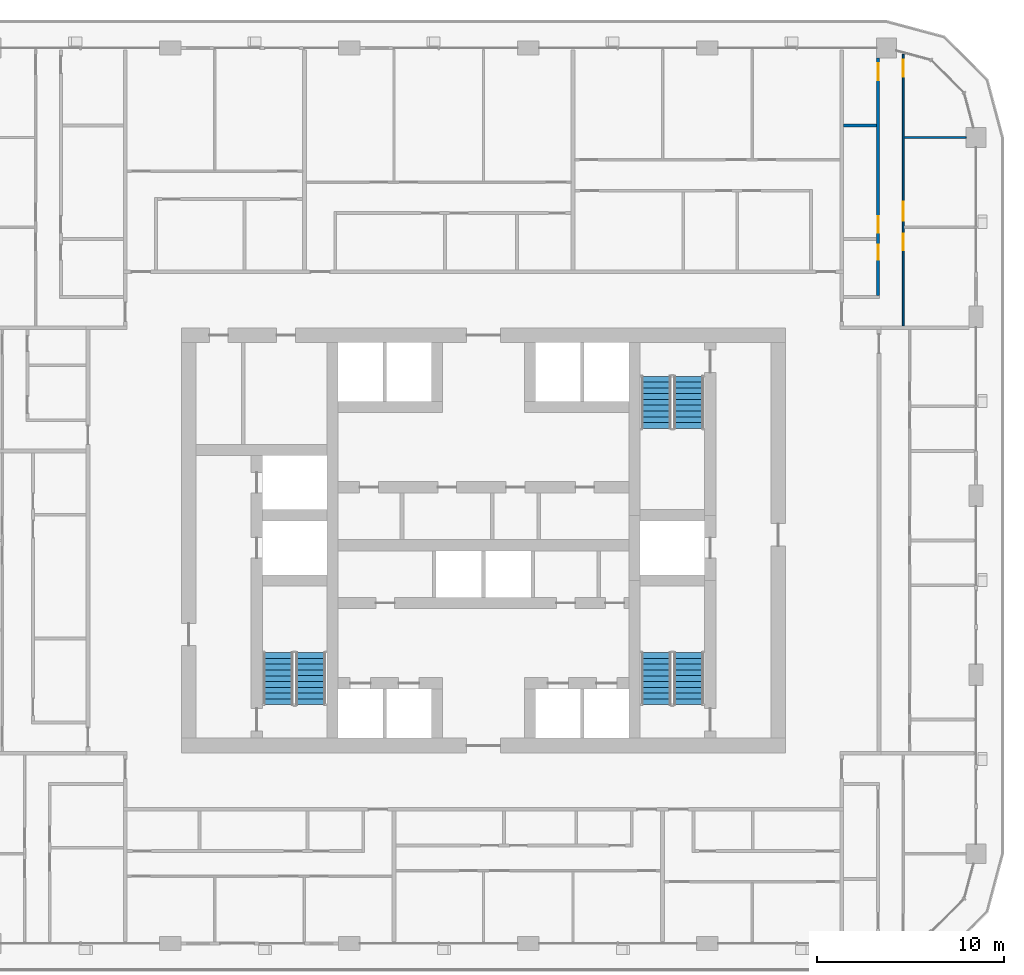
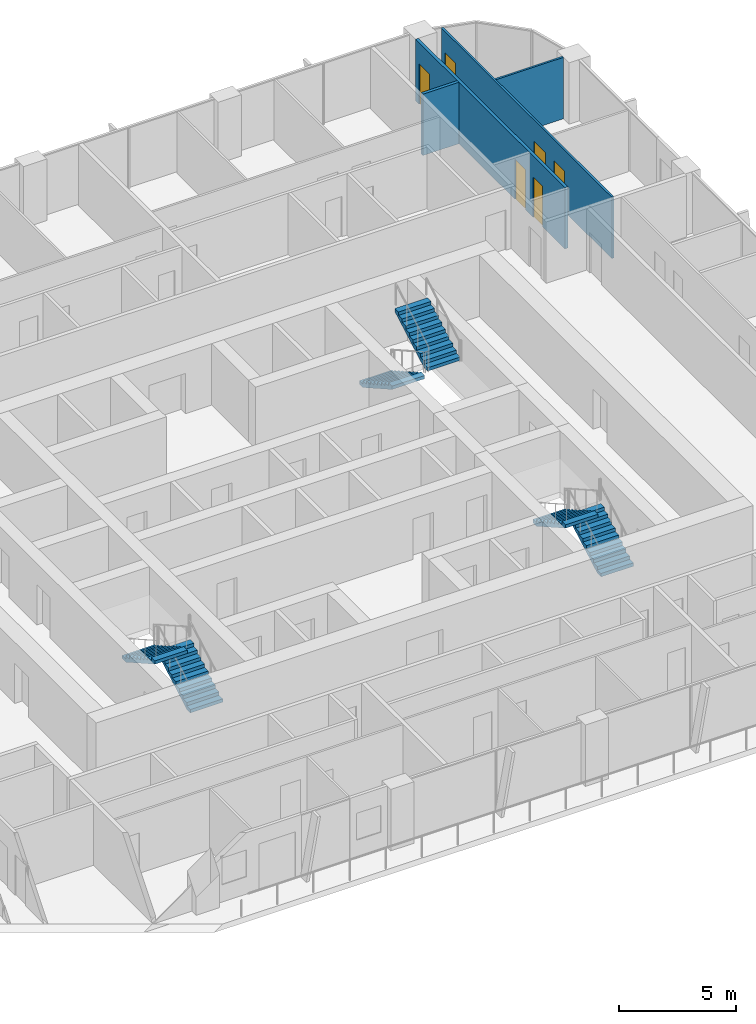
# One storey, part 15 of 22: 6 doors, 6 stair flights, 4 walls, 6 openings, 3 elements without a shape of their own.
"""IFC4 building model written with IfcOpenShell, lengths in metres."""

from ifc_helpers import new_model, si_unit, direction, frame, frame_2d, origin, place, context, subcontext, project, spatial, polyline, rectangle, outline, extrude, material, layer, layer_set, type_object, element, fill, aggregate, save


model = new_model("IFC4")

# Units and contexts
model_context = context("Model", 3, precision=1e-05, world=origin(), true_north=direction((0.0, 1.0)))
body_context = subcontext(model_context, "Body", "Model", "MODEL_VIEW")
ifc_project = project(units=[si_unit("LENGTHUNIT", "METRE"), si_unit("AREAUNIT", "SQUARE_METRE"), si_unit("VOLUMEUNIT", "CUBIC_METRE"), si_unit("PLANEANGLEUNIT", "RADIAN"), si_unit("MASSUNIT", "GRAM", prefix="KILO")], contexts=[model_context])

# Site, building, storey
site_placement = place(None, origin())
site = spatial("IfcSite", under=ifc_project, at=site_placement, CompositionType="ELEMENT")
building_placement = place(site_placement, origin())
building = spatial("IfcBuilding", under=site, at=building_placement, Name="Madar Terraces", CompositionType="ELEMENT")
storey_placement = place(building_placement, frame((0.0, 0.0, 136.60009765625)))
storey = spatial("IfcBuildingStorey", under=building, at=storey_placement, Name="L35", CompositionType="ELEMENT", Elevation=136.60009765625)

# Wall
ifc_material_1 = material(Name="Gypsum board on steel studs", Category="steel")
ifc_layer_1 = layer(ifc_material_1, 0.10009765625)
ifc_layer_set_1 = layer_set([ifc_layer_1], Name="Flat partition 100")
wall_type_1 = type_object("IfcWallType", Name="Flat partition 100", PredefinedType="PARTITIONING", material=ifc_layer_set_1)
wall_1_placement = place(storey_placement, frame((53.75, 48.0, 0.0), z_axis=(0.0, 0.0, 1.0), x_axis=(1.0, 0.0, 0.0)))
element("IfcWall", 1, at=wall_1_placement, inside=storey, type_object=wall_type_1, Name="Flat partition 100", PredefinedType="PARTITIONING", context=body_context, shape_type="SweptSolid", body=[
    extrude(rectangle(XDim=3.324951171875, YDim=0.10009765625, at=frame_2d((1.66259765625, 0.0))), origin(), (0.0, 0.0, 1.0), 3.199951171875),
])

# Wall, openings, doors
wall_2_placement = place(storey_placement, frame((53.699951171875, 52.458740234375, 0.0), z_axis=(0.0, 0.0, 1.0), x_axis=(0.0, -1.0, 0.0)))
wall_2 = element("IfcWall", 2, at=wall_2_placement, inside=storey, type_object=wall_type_1, Name="Flat partition 100", PredefinedType="PARTITIONING", context=body_context, shape_type="SweptSolid", body=[
    extrude(rectangle(XDim=14.558837890625, YDim=0.10009765625, at=frame_2d((7.279296875, 0.0))), origin(), (0.0, 0.0, 1.0), 3.199951171875),
])
opening_1_placement = place(wall_2_placement, frame((9.60888671875, 0.0, 0.0)))
opening_1 = element("IfcOpeningElement", 3, at=opening_1_placement, cuts=wall_2, Name="Opening D2", PredefinedType="OPENING", context=body_context, shape_type="SweptSolid", body=[
    extrude(rectangle(XDim=0.89990234375, YDim=2.10009765625, at=frame_2d((0.449951171875, 1.050048828125))), frame((0.0, 0.06005859375, 0.0), z_axis=(0.0, -1.0, 0.0), x_axis=(1.0, 0.0, 0.0)), (0.0, 0.0, 1.0), 0.1201171875),
])
opening_2_placement = place(wall_2_placement, frame((7.90869140625, 0.0, 0.0)))
opening_2 = element("IfcOpeningElement", 4, at=opening_2_placement, cuts=wall_2, Name="Opening D3", PredefinedType="OPENING", context=body_context, shape_type="SweptSolid", body=[
    extrude(rectangle(XDim=1.0, YDim=2.10009765625, at=frame_2d((0.5, 1.050048828125))), frame((0.0, 0.06005859375, 0.0), z_axis=(0.0, -1.0, 0.0), x_axis=(1.0, 0.0, 0.0)), (0.0, 0.0, 1.0), 0.1201171875),
])
opening_3_placement = place(wall_2_placement, frame((0.300048828125, 0.0, 0.0)))
opening_3 = element("IfcOpeningElement", 5, at=opening_3_placement, cuts=wall_2, Name="Opening D2", PredefinedType="OPENING", context=body_context, shape_type="SweptSolid", body=[
    extrude(rectangle(XDim=0.89990234375, YDim=2.10009765625, at=frame_2d((0.449951171875, 1.050048828125))), frame((0.0, 0.06005859375, 0.0), z_axis=(0.0, -1.0, 0.0), x_axis=(1.0, 0.0, 0.0)), (0.0, 0.0, 1.0), 0.1201171875),
])
ifc_material_2 = material(Name="Timber door leaf", Category="wood")
door_type_1 = type_object("IfcDoorType", Name="Flat living room door 1000", OperationType="NOTDEFINED", PredefinedType="DOOR", material=ifc_material_2)
door_1_placement = place(opening_2_placement, origin())
door_1 = element("IfcDoor", 6, at=door_1_placement, inside=storey, type_object=door_type_1, Name="Flat living room door 1000", OperationType="SINGLE_SWING_RIGHT", OverallHeight=2.10009765625, OverallWidth=1.0, PredefinedType="DOOR", context=body_context, shape_type="SweptSolid", body=[
    extrude(rectangle(XDim=1.0, YDim=2.10009765625, at=frame_2d((0.5, 1.050048828125))), frame((0.0, 0.02490234375, 0.0), z_axis=(0.0, -1.0, 0.0), x_axis=(1.0, 0.0, 0.0)), (0.0, 0.0, 1.0), 0.050048828125),
])
fill(opening_2, door_1)
ifc_material_3 = material(Name="Timber door leaf", Category="wood")
door_type_2 = type_object("IfcDoorType", Name="Flat room door 900", OperationType="NOTDEFINED", PredefinedType="DOOR", material=ifc_material_3)
door_2_placement = place(opening_1_placement, origin())
door_2 = element("IfcDoor", 7, at=door_2_placement, inside=storey, type_object=door_type_2, Name="Flat room door 900", OperationType="SINGLE_SWING_LEFT", OverallHeight=2.10009765625, OverallWidth=0.89990234375, PredefinedType="DOOR", context=body_context, shape_type="SweptSolid", body=[
    extrude(rectangle(XDim=0.89990234375, YDim=2.10009765625, at=frame_2d((0.449951171875, 1.050048828125))), frame((0.0, 0.02490234375, 0.0), z_axis=(0.0, -1.0, 0.0), x_axis=(1.0, 0.0, 0.0)), (0.0, 0.0, 1.0), 0.050048828125),
])
fill(opening_1, door_2)
door_3_placement = place(opening_3_placement, origin())
door_3 = element("IfcDoor", 8, at=door_3_placement, inside=storey, type_object=door_type_2, Name="Flat room door 900", OperationType="SINGLE_SWING_LEFT", OverallHeight=2.10009765625, OverallWidth=0.89990234375, PredefinedType="DOOR", context=body_context, shape_type="SweptSolid", body=[
    extrude(rectangle(XDim=0.89990234375, YDim=2.10009765625, at=frame_2d((0.449951171875, 1.050048828125))), frame((0.0, 0.02490234375, 0.0), z_axis=(0.0, -1.0, 0.0), x_axis=(1.0, 0.0, 0.0)), (0.0, 0.0, 1.0), 0.050048828125),
])
fill(opening_3, door_3)

# Wall
ifc_material_4 = material(Name="Lightweight blockwork", Category="masonry")
ifc_layer_2 = layer(ifc_material_4, 0.14990234375)
ifc_layer_set_2 = layer_set([ifc_layer_2], Name="Flat wet-room partition 150")
wall_type_2 = type_object("IfcWallType", Name="Flat wet-room partition 150", PredefinedType="PARTITIONING", material=ifc_layer_set_2)
wall_3_placement = place(storey_placement, frame((50.5, 48.646240234375, 0.0), z_axis=(0.0, 0.0, 1.0), x_axis=(1.0, 0.0, 0.0)))
element("IfcWall", 9, at=wall_3_placement, inside=storey, type_object=wall_type_2, Name="Flat wet-room partition 150", PredefinedType="PARTITIONING", context=body_context, shape_type="SweptSolid", body=[
    extrude(rectangle(XDim=1.77490234375, YDim=0.14990234375, at=frame_2d((0.887451171875, 0.0))), origin(), (0.0, 0.0, 1.0), 3.199951171875),
])

# Wall, openings, doors
wall_4_placement = place(storey_placement, frame((52.35009765625, 39.52490234375, 0.0), z_axis=(0.0, 0.0, 1.0), x_axis=(0.0, 1.0, 0.0)))
wall_4 = element("IfcWall", 10, at=wall_4_placement, inside=storey, type_object=wall_type_2, Name="Flat wet-room partition 150", PredefinedType="PARTITIONING", context=body_context, shape_type="SweptSolid", body=[
    extrude(rectangle(XDim=12.75, YDim=0.14990234375, at=frame_2d((6.375, 0.0))), origin(), (0.0, 0.0, 1.0), 3.199951171875),
])
opening_4_placement = place(wall_4_placement, frame((1.915283203125, 0.0, 0.0)))
opening_4 = element("IfcOpeningElement", 11, at=opening_4_placement, cuts=wall_4, Name="Opening D4", PredefinedType="OPENING", context=body_context, shape_type="SweptSolid", body=[
    extrude(rectangle(XDim=0.800048828125, YDim=2.10009765625, at=frame_2d((0.39990234375, 1.050048828125))), frame((0.0, 0.0849609375, 0.0), z_axis=(0.0, -1.0, 0.0), x_axis=(1.0, 0.0, 0.0)), (0.0, 0.0, 1.0), 0.169921875),
])
opening_5_placement = place(wall_4_placement, frame((3.365478515625, 0.0, 0.0)))
opening_5 = element("IfcOpeningElement", 12, at=opening_5_placement, cuts=wall_4, Name="Opening D2", PredefinedType="OPENING", context=body_context, shape_type="SweptSolid", body=[
    extrude(rectangle(XDim=0.89990234375, YDim=2.10009765625, at=frame_2d((0.449951171875, 1.050048828125))), frame((0.0, 0.0849609375, 0.0), z_axis=(0.0, -1.0, 0.0), x_axis=(1.0, 0.0, 0.0)), (0.0, 0.0, 1.0), 0.169921875),
])
opening_6_placement = place(wall_4_placement, frame((11.550048828125, 0.0, 0.0)))
opening_6 = element("IfcOpeningElement", 13, at=opening_6_placement, cuts=wall_4, Name="Opening D5", PredefinedType="OPENING", context=body_context, shape_type="SweptSolid", body=[
    extrude(rectangle(XDim=0.89990234375, YDim=2.10009765625, at=frame_2d((0.449951171875, 1.050048828125))), frame((0.0, 0.0849609375, 0.0), z_axis=(0.0, -1.0, 0.0), x_axis=(1.0, 0.0, 0.0)), (0.0, 0.0, 1.0), 0.169921875),
])
ifc_material_5 = material(Name="Timber door leaf", Category="wood")
door_type_3 = type_object("IfcDoorType", Name="Flat accessible bathroom door 900", OperationType="NOTDEFINED", PredefinedType="DOOR", material=ifc_material_5)
door_4_placement = place(opening_6_placement, origin())
door_4 = element("IfcDoor", 14, at=door_4_placement, inside=storey, type_object=door_type_3, Name="Flat accessible bathroom door 900", OperationType="SINGLE_SWING_RIGHT", OverallHeight=2.10009765625, OverallWidth=0.89990234375, PredefinedType="DOOR", context=body_context, shape_type="SweptSolid", body=[
    extrude(rectangle(XDim=0.89990234375, YDim=2.10009765625, at=frame_2d((0.449951171875, 1.050048828125))), frame((0.0, 0.02490234375, 0.0), z_axis=(0.0, -1.0, 0.0), x_axis=(1.0, 0.0, 0.0)), (0.0, 0.0, 1.0), 0.050048828125),
])
fill(opening_6, door_4)
ifc_material_6 = material(Name="Timber door leaf", Category="wood")
door_type_4 = type_object("IfcDoorType", Name="Flat bathroom door 800", OperationType="NOTDEFINED", PredefinedType="DOOR", material=ifc_material_6)
door_5_placement = place(opening_4_placement, origin())
door_5 = element("IfcDoor", 15, at=door_5_placement, inside=storey, type_object=door_type_4, Name="Flat bathroom door 800", OperationType="SINGLE_SWING_RIGHT", OverallHeight=2.10009765625, OverallWidth=0.800048828125, PredefinedType="DOOR", context=body_context, shape_type="SweptSolid", body=[
    extrude(rectangle(XDim=0.800048828125, YDim=2.10009765625, at=frame_2d((0.39990234375, 1.050048828125))), frame((0.0, 0.02490234375, 0.0), z_axis=(0.0, -1.0, 0.0), x_axis=(1.0, 0.0, 0.0)), (0.0, 0.0, 1.0), 0.050048828125),
])
fill(opening_4, door_5)
door_6_placement = place(opening_5_placement, origin())
door_6 = element("IfcDoor", 16, at=door_6_placement, inside=storey, type_object=door_type_2, Name="Flat room door 900", OperationType="SINGLE_SWING_LEFT", OverallHeight=2.10009765625, OverallWidth=0.89990234375, PredefinedType="DOOR", context=body_context, shape_type="SweptSolid", body=[
    extrude(rectangle(XDim=0.89990234375, YDim=2.10009765625, at=frame_2d((0.449951171875, 1.050048828125))), frame((0.0, 0.02490234375, 0.0), z_axis=(0.0, -1.0, 0.0), x_axis=(1.0, 0.0, 0.0)), (0.0, 0.0, 1.0), 0.050048828125),
])
fill(opening_5, door_6)

# Stair, stair flights
ifc_material_7 = material(Name="Concrete C50/60", Category="concrete")
stair_type_1 = type_object("IfcStairType", Name="Stair ST1 protected exit", PredefinedType="HALF_TURN_STAIR", material=ifc_material_7)
stair_1_placement = place(storey_placement, origin())
stair_1 = element("IfcStair", 17, at=stair_1_placement, inside=storey, type_object=stair_type_1, Name="L35 Protected Exit Stair ST1", PredefinedType="HALF_TURN_STAIR")
ifc_material_8 = material(Name="Concrete C50/60", Category="concrete")
stair_flight_type_1 = type_object("IfcStairFlightType", Name="Stair flight ST1-F4, 1600 wide, 10 risers", PredefinedType="STRAIGHT", material=ifc_material_8)
stair_flight_1_placement = place(storey_placement, frame((21.949951171875, 17.60009765625, 0.0), z_axis=(0.0, 0.0, 1.0), x_axis=(0.0, 1.0, 0.0)))
stair_flight_1 = element("IfcStairFlight", 18, at=stair_flight_1_placement, type_object=stair_flight_type_1, Name="ST1 flight 1", NumberOfRisers=10, NumberOfTreads=9, PredefinedType="STRAIGHT", RiserHeight=0.175, TreadLength=0.31, context=body_context, shape_type="SweptSolid", body=[
    extrude(outline(polyline([(0.0, 0.0), (0.0, 0.175048828125), (0.31005859375, 0.175048828125), (0.31005859375, 0.35009765625), (0.6201171875, 0.35009765625), (0.6201171875, 0.52490234375), (0.929931640625, 0.52490234375), (0.929931640625, 0.699951171875), (1.239990234375, 0.699951171875), (1.239990234375, 0.875), (1.550048828125, 0.875), (1.550048828125, 1.050048828125), (1.860107421875, 1.050048828125), (1.860107421875, 1.22509765625), (2.169921875, 1.22509765625), (2.169921875, 1.39990234375), (2.47998046875, 1.39990234375), (2.47998046875, 1.574951171875), (2.7900390625, 1.574951171875), (2.7900390625, 1.75), (2.7900390625, 1.40283203125), (0.304931640625, 0.0), (0.0, 0.0)])), frame((0.0, 0.800048828125, 0.0), z_axis=(0.0, -1.0, 0.0), x_axis=(1.0, 0.0, 0.0)), (0.0, 0.0, 1.0), 1.60009765625),
])
stair_flight_2_placement = place(storey_placement, frame((20.199951171875, 20.389892578125, 1.75), z_axis=(0.0, 0.0, 1.0), x_axis=(0.0, -1.0, 0.0)))
stair_flight_2 = element("IfcStairFlight", 19, at=stair_flight_2_placement, type_object=stair_flight_type_1, Name="ST1 flight 2", NumberOfRisers=10, NumberOfTreads=9, PredefinedType="STRAIGHT", RiserHeight=0.175, TreadLength=0.31, context=body_context, shape_type="SweptSolid", body=[
    extrude(outline(polyline([(0.0, 0.0), (0.0, 0.175048828125), (0.31005859375, 0.175048828125), (0.31005859375, 0.35009765625), (0.6201171875, 0.35009765625), (0.6201171875, 0.52490234375), (0.929931640625, 0.52490234375), (0.929931640625, 0.699951171875), (1.239990234375, 0.699951171875), (1.239990234375, 0.875), (1.550048828125, 0.875), (1.550048828125, 1.050048828125), (1.860107421875, 1.050048828125), (1.860107421875, 1.22509765625), (2.169921875, 1.22509765625), (2.169921875, 1.39990234375), (2.47998046875, 1.39990234375), (2.47998046875, 1.574951171875), (2.7900390625, 1.574951171875), (2.7900390625, 1.75), (2.7900390625, 1.40283203125), (0.304931640625, 0.0), (0.0, 0.0)])), frame((0.0, 0.800048828125, 0.0), z_axis=(0.0, -1.0, 0.0), x_axis=(1.0, 0.0, 0.0)), (0.0, 0.0, 1.0), 1.60009765625),
])
aggregate(stair_1, [stair_flight_1, stair_flight_2])

ifc_material_9 = material(Name="Concrete C50/60", Category="concrete")
stair_type_2 = type_object("IfcStairType", Name="Stair ST2 protected exit", PredefinedType="HALF_TURN_STAIR", material=ifc_material_9)
stair_2_placement = place(storey_placement, origin())
stair_2 = element("IfcStair", 20, at=stair_2_placement, inside=storey, type_object=stair_type_2, Name="L35 Protected Exit Stair ST2", PredefinedType="HALF_TURN_STAIR")
ifc_material_10 = material(Name="Concrete C50/60", Category="concrete")
stair_flight_type_2 = type_object("IfcStairFlightType", Name="Stair flight ST2-F4, 1600 wide, 10 risers", PredefinedType="STRAIGHT", material=ifc_material_10)
stair_flight_3_placement = place(storey_placement, frame((40.449951171875, 35.199951171875, 0.0), z_axis=(0.0, 0.0, 1.0), x_axis=(0.0, -1.0, 0.0)))
stair_flight_3 = element("IfcStairFlight", 21, at=stair_flight_3_placement, type_object=stair_flight_type_2, Name="ST2 flight 1", NumberOfRisers=10, NumberOfTreads=9, PredefinedType="STRAIGHT", RiserHeight=0.175, TreadLength=0.31, context=body_context, shape_type="SweptSolid", body=[
    extrude(outline(polyline([(0.0, 0.0), (0.0, 0.175048828125), (0.31005859375, 0.175048828125), (0.31005859375, 0.35009765625), (0.6201171875, 0.35009765625), (0.6201171875, 0.52490234375), (0.929931640625, 0.52490234375), (0.929931640625, 0.699951171875), (1.239990234375, 0.699951171875), (1.239990234375, 0.875), (1.550048828125, 0.875), (1.550048828125, 1.050048828125), (1.860107421875, 1.050048828125), (1.860107421875, 1.22509765625), (2.169921875, 1.22509765625), (2.169921875, 1.39990234375), (2.47998046875, 1.39990234375), (2.47998046875, 1.574951171875), (2.7900390625, 1.574951171875), (2.7900390625, 1.75), (2.7900390625, 1.40283203125), (0.304931640625, 0.0), (0.0, 0.0)])), frame((0.0, 0.800048828125, 0.0), z_axis=(0.0, -1.0, 0.0), x_axis=(1.0, 0.0, 0.0)), (0.0, 0.0, 1.0), 1.60009765625),
])
stair_flight_4_placement = place(storey_placement, frame((42.199951171875, 32.409912109375, 1.75), z_axis=(0.0, 0.0, 1.0), x_axis=(0.0, 1.0, 0.0)))
stair_flight_4 = element("IfcStairFlight", 22, at=stair_flight_4_placement, type_object=stair_flight_type_2, Name="ST2 flight 2", NumberOfRisers=10, NumberOfTreads=9, PredefinedType="STRAIGHT", RiserHeight=0.175, TreadLength=0.31, context=body_context, shape_type="SweptSolid", body=[
    extrude(outline(polyline([(0.0, 0.0), (0.0, 0.175048828125), (0.31005859375, 0.175048828125), (0.31005859375, 0.35009765625), (0.6201171875, 0.35009765625), (0.6201171875, 0.52490234375), (0.929931640625, 0.52490234375), (0.929931640625, 0.699951171875), (1.239990234375, 0.699951171875), (1.239990234375, 0.875), (1.550048828125, 0.875), (1.550048828125, 1.050048828125), (1.860107421875, 1.050048828125), (1.860107421875, 1.22509765625), (2.169921875, 1.22509765625), (2.169921875, 1.39990234375), (2.47998046875, 1.39990234375), (2.47998046875, 1.574951171875), (2.7900390625, 1.574951171875), (2.7900390625, 1.75), (2.7900390625, 1.40283203125), (0.304931640625, 0.0), (0.0, 0.0)])), frame((0.0, 0.800048828125, 0.0), z_axis=(0.0, -1.0, 0.0), x_axis=(1.0, 0.0, 0.0)), (0.0, 0.0, 1.0), 1.60009765625),
])
aggregate(stair_2, [stair_flight_3, stair_flight_4])

ifc_material_11 = material(Name="Concrete C50/60", Category="concrete")
stair_type_3 = type_object("IfcStairType", Name="Stair ST3 protected exit", PredefinedType="HALF_TURN_STAIR", material=ifc_material_11)
stair_3_placement = place(storey_placement, origin())
stair_3 = element("IfcStair", 23, at=stair_3_placement, inside=storey, type_object=stair_type_3, Name="L35 Protected Exit Stair ST3", PredefinedType="HALF_TURN_STAIR")
ifc_material_12 = material(Name="Concrete C50/60", Category="concrete")
stair_flight_type_3 = type_object("IfcStairFlightType", Name="Stair flight ST3-F4, 1600 wide, 10 risers", PredefinedType="STRAIGHT", material=ifc_material_12)
stair_flight_5_placement = place(storey_placement, frame((42.199951171875, 17.60009765625, 0.0), z_axis=(0.0, 0.0, 1.0), x_axis=(0.0, 1.0, 0.0)))
stair_flight_5 = element("IfcStairFlight", 24, at=stair_flight_5_placement, type_object=stair_flight_type_3, Name="ST3 flight 1", NumberOfRisers=10, NumberOfTreads=9, PredefinedType="STRAIGHT", RiserHeight=0.175, TreadLength=0.31, context=body_context, shape_type="SweptSolid", body=[
    extrude(outline(polyline([(0.0, 0.0), (0.0, 0.175048828125), (0.31005859375, 0.175048828125), (0.31005859375, 0.35009765625), (0.6201171875, 0.35009765625), (0.6201171875, 0.52490234375), (0.929931640625, 0.52490234375), (0.929931640625, 0.699951171875), (1.239990234375, 0.699951171875), (1.239990234375, 0.875), (1.550048828125, 0.875), (1.550048828125, 1.050048828125), (1.860107421875, 1.050048828125), (1.860107421875, 1.22509765625), (2.169921875, 1.22509765625), (2.169921875, 1.39990234375), (2.47998046875, 1.39990234375), (2.47998046875, 1.574951171875), (2.7900390625, 1.574951171875), (2.7900390625, 1.75), (2.7900390625, 1.40283203125), (0.304931640625, 0.0), (0.0, 0.0)])), frame((0.0, 0.800048828125, 0.0), z_axis=(0.0, -1.0, 0.0), x_axis=(1.0, 0.0, 0.0)), (0.0, 0.0, 1.0), 1.60009765625),
])
stair_flight_6_placement = place(storey_placement, frame((40.449951171875, 20.389892578125, 1.75), z_axis=(0.0, 0.0, 1.0), x_axis=(0.0, -1.0, 0.0)))
stair_flight_6 = element("IfcStairFlight", 25, at=stair_flight_6_placement, type_object=stair_flight_type_3, Name="ST3 flight 2", NumberOfRisers=10, NumberOfTreads=9, PredefinedType="STRAIGHT", RiserHeight=0.175, TreadLength=0.31, context=body_context, shape_type="SweptSolid", body=[
    extrude(outline(polyline([(0.0, 0.0), (0.0, 0.175048828125), (0.31005859375, 0.175048828125), (0.31005859375, 0.35009765625), (0.6201171875, 0.35009765625), (0.6201171875, 0.52490234375), (0.929931640625, 0.52490234375), (0.929931640625, 0.699951171875), (1.239990234375, 0.699951171875), (1.239990234375, 0.875), (1.550048828125, 0.875), (1.550048828125, 1.050048828125), (1.860107421875, 1.050048828125), (1.860107421875, 1.22509765625), (2.169921875, 1.22509765625), (2.169921875, 1.39990234375), (2.47998046875, 1.39990234375), (2.47998046875, 1.574951171875), (2.7900390625, 1.574951171875), (2.7900390625, 1.75), (2.7900390625, 1.40283203125), (0.304931640625, 0.0), (0.0, 0.0)])), frame((0.0, 0.800048828125, 0.0), z_axis=(0.0, -1.0, 0.0), x_axis=(1.0, 0.0, 0.0)), (0.0, 0.0, 1.0), 1.60009765625),
])
aggregate(stair_3, [stair_flight_5, stair_flight_6])

save(model, "model.ifc")
